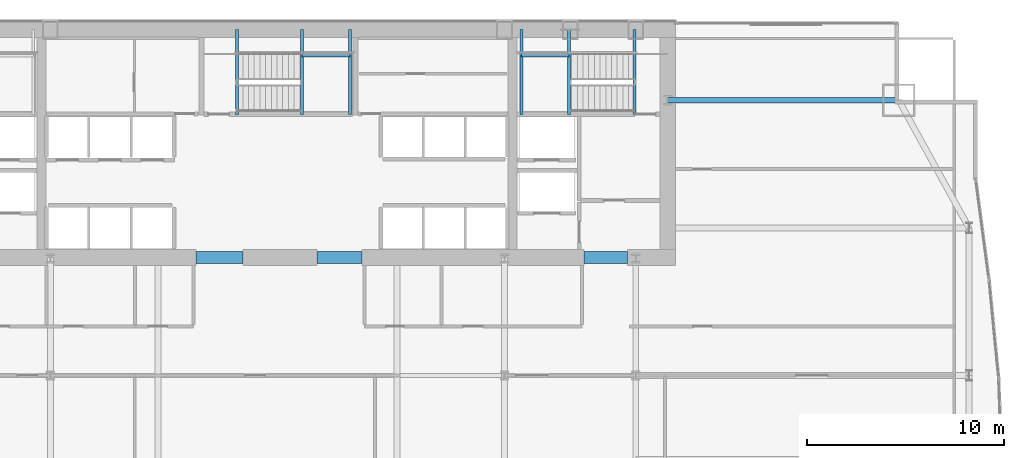
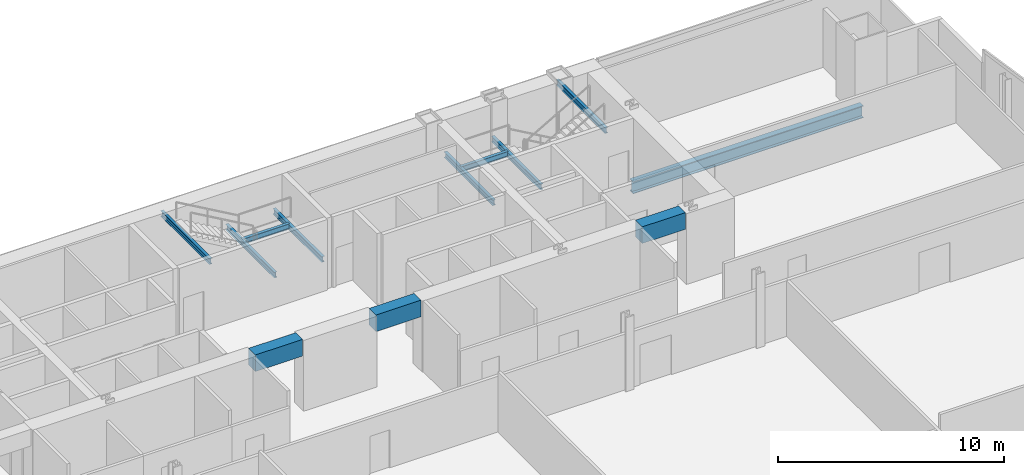
# One storey, part 19 of 35: 12 beams.
"""IFC4 building model written with IfcOpenShell, lengths in metres."""

from ifc_helpers import new_model, si_unit, direction, frame, origin, origin_2d, place, context, subcontext, project, spatial, rectangle, i_section, extrude, material, material_profile, profile_set, type_object, element, save


model = new_model("IFC4")

# Units and contexts
model_context = context("Model", 3, precision=1e-05, world=origin(), true_north=direction((0.0, 1.0)))
body_context = subcontext(model_context, "Body", "Model", "MODEL_VIEW")
ifc_project = project(units=[si_unit("LENGTHUNIT", "METRE"), si_unit("AREAUNIT", "SQUARE_METRE"), si_unit("VOLUMEUNIT", "CUBIC_METRE"), si_unit("PLANEANGLEUNIT", "RADIAN"), si_unit("MASSUNIT", "GRAM", prefix="KILO")], contexts=[model_context])

# Site, building, storey
site_placement = place(None, origin())
site = spatial("IfcSite", under=ifc_project, at=site_placement, CompositionType="ELEMENT")
building_placement = place(site_placement, origin())
building = spatial("IfcBuilding", under=site, at=building_placement, Name="Khoronbel Lancet Exchange", CompositionType="ELEMENT")
storey_placement = place(building_placement, frame((0.0, 0.0, 69.800048828125)))
storey = spatial("IfcBuildingStorey", under=building, at=storey_placement, Name="L16", CompositionType="ELEMENT", Elevation=69.800048828125)

# Beams
ifc_material_1 = material(Name="Steel S355", Category="steel")
ifc_material_profile_1 = material_profile(ifc_material_1, i_section(OverallWidth=0.14990234375, OverallDepth=0.300048828125, WebThickness=0.007080078125, FlangeThickness=0.0107421875, at=origin_2d()), Name="IPE 300")
ifc_profile_set_1 = profile_set([ifc_material_profile_1], Name="Steel S355")
beam_type_1 = type_object("IfcBeamType", Name="BM-BJ8", PredefinedType="JOIST", material=ifc_profile_set_1)
for number, where, z_axis, x_axis, name in (
    (1, (51.2900390625, 48.97998046875, 1.64990234375), (0.0, 1.0, 0.0), (-1.0, 0.0, 0.0), "Level L16 stair ST2 landing bearer beam 1"),
    (2, (48.8701171875, 48.97998046875, 1.64990234375), (0.0, 1.0, 0.0), (-1.0, 0.0, 0.0), "Level L16 stair ST2 rear landing bearer beam 1"),
):
    element("IfcBeam", number, at=place(storey_placement, frame(where, z_axis=z_axis, x_axis=x_axis)), inside=storey, type_object=beam_type_1, Name=name, PredefinedType="JOIST", context=body_context, shape_type="SweptSolid", body=[
        extrude(i_section(OverallWidth=0.14990234375, OverallDepth=0.300048828125, WebThickness=0.007080078125, FlangeThickness=0.0107421875, at=origin_2d()), origin(), (0.0, 0.0, 1.0), 4.320068359375),
    ])
beam_1_placement = place(storey_placement, frame((48.8701171875, 51.97998046875, 1.64990234375), z_axis=(1.0, 0.0, 0.0), x_axis=(0.0, 1.0, 0.0)))
element("IfcBeam", 3, at=beam_1_placement, inside=storey, type_object=beam_type_1, Name="Level L16 stair ST2 landing cross trimmer beam 1", PredefinedType="JOIST", context=body_context, shape_type="SweptSolid", body=[
    extrude(i_section(OverallWidth=0.14990234375, OverallDepth=0.300048828125, WebThickness=0.007080078125, FlangeThickness=0.0107421875, at=origin_2d()), origin(), (0.0, 0.0, 1.0), 2.419921875),
])
for number, where, z_axis, x_axis, name in (
    (4, (54.60009765625, 48.97998046875, 3.5400390625), (0.0, 1.0, 0.0), (-1.0, 0.0, 0.0), "Level L16 stair ST2 upper-flight arrival trimmer beam"),
    (5, (37.7099609375, 48.97998046875, 1.64990234375), (0.0, 1.0, 0.0), (-1.0, 0.0, 0.0), "Level L16 stair ST3 landing bearer beam 1"),
    (6, (40.1298828125, 48.97998046875, 1.64990234375), (0.0, 1.0, 0.0), (-1.0, 0.0, 0.0), "Level L16 stair ST3 rear landing bearer beam 1"),
):
    element("IfcBeam", number, at=place(storey_placement, frame(where, z_axis=z_axis, x_axis=x_axis)), inside=storey, type_object=beam_type_1, Name=name, PredefinedType="JOIST", context=body_context, shape_type="SweptSolid", body=[
        extrude(i_section(OverallWidth=0.14990234375, OverallDepth=0.300048828125, WebThickness=0.007080078125, FlangeThickness=0.0107421875, at=origin_2d()), origin(), (0.0, 0.0, 1.0), 4.320068359375),
    ])
beam_2_placement = place(storey_placement, frame((37.7099609375, 51.97998046875, 1.64990234375), z_axis=(1.0, 0.0, 0.0), x_axis=(0.0, 1.0, 0.0)))
element("IfcBeam", 7, at=beam_2_placement, inside=storey, type_object=beam_type_1, Name="Level L16 stair ST3 landing cross trimmer beam 1", PredefinedType="JOIST", context=body_context, shape_type="SweptSolid", body=[
    extrude(i_section(OverallWidth=0.14990234375, OverallDepth=0.300048828125, WebThickness=0.007080078125, FlangeThickness=0.0107421875, at=origin_2d()), origin(), (0.0, 0.0, 1.0), 2.419921875),
])
beam_3_placement = place(storey_placement, frame((34.39990234375, 48.97998046875, 3.5400390625), z_axis=(0.0, 1.0, 0.0), x_axis=(-1.0, 0.0, 0.0)))
element("IfcBeam", 8, at=beam_3_placement, inside=storey, type_object=beam_type_1, Name="Level L16 stair ST3 upper-flight arrival trimmer beam", PredefinedType="JOIST", context=body_context, shape_type="SweptSolid", body=[
    extrude(i_section(OverallWidth=0.14990234375, OverallDepth=0.300048828125, WebThickness=0.007080078125, FlangeThickness=0.0107421875, at=origin_2d()), origin(), (0.0, 0.0, 1.0), 4.320068359375),
])
ifc_material_2 = material(Name="Concrete C80/95", Category="concrete")
ifc_material_profile_2 = material_profile(ifc_material_2, rectangle(XDim=0.60009765625, YDim=0.89990234375, at=origin_2d()), Name="RC 600x900")
ifc_profile_set_2 = profile_set([ifc_material_profile_2], Name="Concrete C80/95")
beam_type_2 = type_object("IfcBeamType", Name="BM-BL1", PredefinedType="LINTEL", material=ifc_profile_set_2)
beam_4_placement = place(storey_placement, frame((32.300048828125, 41.699951171875, 3.369873046875), z_axis=(1.0, 0.0, 0.0), x_axis=(0.0, 1.0, 0.0)))
element("IfcBeam", 9, at=beam_4_placement, inside=storey, type_object=beam_type_2, Name="Level L16 rear core coupling lintel L2", PredefinedType="LINTEL", context=body_context, shape_type="SweptSolid", body=[
    extrude(rectangle(XDim=0.60009765625, YDim=0.89990234375, at=origin_2d()), origin(), (0.0, 0.0, 1.0), 2.39990234375),
])
beam_5_placement = place(storey_placement, frame((38.449951171875, 41.699951171875, 3.369873046875), z_axis=(1.0, 0.0, 0.0), x_axis=(0.0, 1.0, 0.0)))
element("IfcBeam", 10, at=beam_5_placement, inside=storey, type_object=beam_type_2, Name="Level L16 rear core coupling lintel L3", PredefinedType="LINTEL", context=body_context, shape_type="SweptSolid", body=[
    extrude(rectangle(XDim=0.60009765625, YDim=0.89990234375, at=origin_2d()), origin(), (0.0, 0.0, 1.0), 2.300048828125),
])
beam_6_placement = place(storey_placement, frame((52.050048828125, 41.699951171875, 3.369873046875), z_axis=(1.0, 0.0, 0.0), x_axis=(0.0, 1.0, 0.0)))
element("IfcBeam", 11, at=beam_6_placement, inside=storey, type_object=beam_type_2, Name="Level L16 rear core coupling lintel L4", PredefinedType="LINTEL", context=body_context, shape_type="SweptSolid", body=[
    extrude(rectangle(XDim=0.60009765625, YDim=0.89990234375, at=origin_2d()), origin(), (0.0, 0.0, 1.0), 2.199951171875),
])
ifc_material_profile_3 = material_profile(ifc_material_1, i_section(OverallWidth=0.300048828125, OverallDepth=0.64990234375, WebThickness=0.01611328125, FlangeThickness=0.031005859375, at=origin_2d()), Name="HEB 650")
ifc_profile_set_3 = profile_set([ifc_material_profile_3], Name="Steel S355")
beam_type_3 = type_object("IfcBeamType", Name="BM-BSP1", PredefinedType="SPANDREL", material=ifc_profile_set_3)
beam_7_placement = place(storey_placement, frame((68.050048828125, 49.699951171875, -0.505126953125), z_axis=(-1.0, 0.0, 0.0), x_axis=(0.0, -1.0, 0.0)))
element("IfcBeam", 12, at=beam_7_placement, inside=storey, type_object=beam_type_3, Name="Level L16 north flank tie spandrel SP23", PredefinedType="SPANDREL", context=body_context, shape_type="SweptSolid", body=[
    extrude(i_section(OverallWidth=0.300048828125, OverallDepth=0.64990234375, WebThickness=0.01611328125, FlangeThickness=0.031005859375, at=origin_2d()), origin(), (0.0, 0.0, 1.0), 11.75),
])

save(model, "model.ifc")
